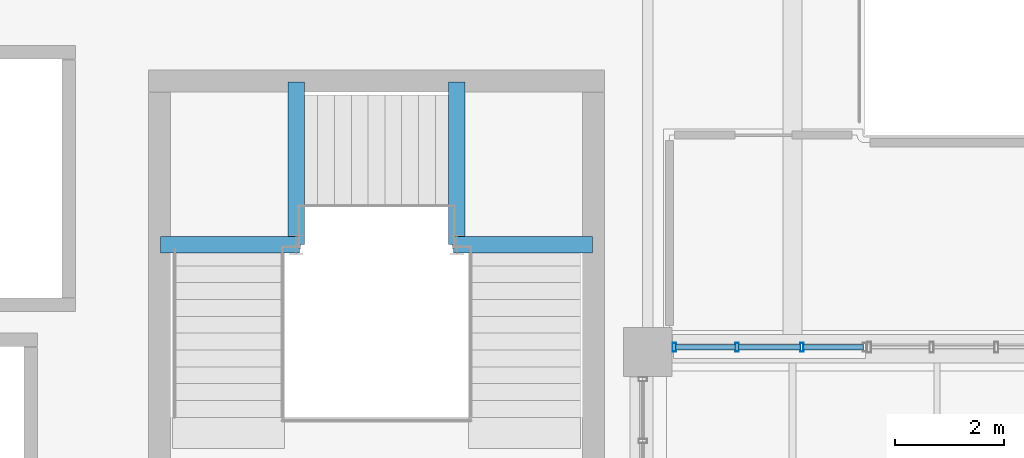
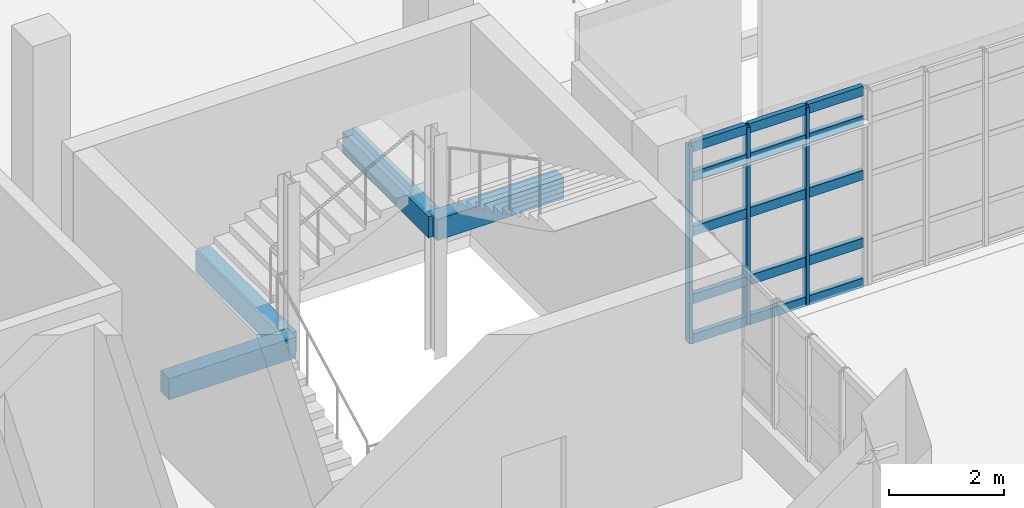
# One storey, part 14 of 102: 18 members, 4 beams, 1 element without a shape of its own.
"""IFC4 building model written with IfcOpenShell, lengths in metres."""

from ifc_helpers import new_model, si_unit, derived_unit, direction, frame, origin, origin_2d, place, context, subcontext, project, spatial, rectangle, hollow_rectangle, extrude, material, layer, layer_set, material_profile, profile_set, type_object, element, aggregate, save


model = new_model("IFC4")

# Units and contexts
model_context = context("Model", 3, precision=1e-05, world=origin(), true_north=direction((0.0, 1.0)))
body_context = subcontext(model_context, "Body", "Model", "MODEL_VIEW")
ifc_project = project(units=[si_unit("LENGTHUNIT", "METRE"), si_unit("AREAUNIT", "SQUARE_METRE"), si_unit("VOLUMEUNIT", "CUBIC_METRE"), si_unit("PLANEANGLEUNIT", "RADIAN"), si_unit("MASSUNIT", "GRAM", prefix="KILO"), derived_unit("THERMALTRANSMITTANCEUNIT", [(si_unit("POWERUNIT", "WATT"), 1), (si_unit("LENGTHUNIT", "METRE"), -2), (si_unit("THERMODYNAMICTEMPERATUREUNIT", "KELVIN"), -1)])], contexts=[model_context])

# Site, building, storey
site_placement = place(None, origin())
site = spatial("IfcSite", under=ifc_project, at=site_placement, CompositionType="ELEMENT")
building_placement = place(site_placement, origin())
building = spatial("IfcBuilding", under=site, at=building_placement, Name="Nallur Shell Playhouse", CompositionType="ELEMENT")
storey_placement = place(building_placement, frame((0.0, 0.0, 15.0)))
storey = spatial("IfcBuildingStorey", under=building, at=storey_placement, Name="L04", CompositionType="ELEMENT", Elevation=15.0)

# Beams
ifc_material_1 = material(Name="Concrete M35", Category="concrete")
ifc_material_profile_1 = material_profile(ifc_material_1, rectangle(XDim=0.300048828125, YDim=0.449951171875, at=origin_2d()), Name="RC 300x450")
ifc_profile_set_1 = profile_set([ifc_material_profile_1], Name="Concrete M35")
beam_type = type_object("IfcBeamType", Name="BM-SPN-300x450", PredefinedType="SPANDREL", material=ifc_profile_set_1)
beam_1_placement = place(storey_placement, frame((31.02001953125, 17.97998046875, 1.22509765625), z_axis=(1.0, 0.0, 0.0), x_axis=(0.0, 1.0, 0.0)))
element("IfcBeam", 1, at=beam_1_placement, inside=storey, type_object=beam_type, Name="Stair ST-01-L04 L1 south bearer beam", PredefinedType="SPANDREL", context=body_context, shape_type="SweptSolid", body=[
    extrude(rectangle(XDim=0.300048828125, YDim=0.449951171875, at=origin_2d()), origin(), (0.0, 0.0, 1.0), 2.56005859375),
])
beam_2_placement = place(storey_placement, frame((33.52001953125, 17.97998046875, 1.22509765625), z_axis=(0.0, 1.0, 0.0), x_axis=(-1.0, 0.0, 0.0)))
element("IfcBeam", 2, at=beam_2_placement, inside=storey, type_object=beam_type, Name="Stair ST-01-L04 L1 east bearer beam", PredefinedType="SPANDREL", context=body_context, shape_type="SweptSolid", body=[
    extrude(rectangle(XDim=0.300048828125, YDim=0.449951171875, at=origin_2d()), origin(), (0.0, 0.0, 1.0), 3.0),
])
beam_3_placement = place(storey_placement, frame((36.419921875, 17.97998046875, 2.72509765625), z_axis=(1.0, 0.0, 0.0), x_axis=(0.0, 1.0, 0.0)))
element("IfcBeam", 3, at=beam_3_placement, inside=storey, type_object=beam_type, Name="Stair ST-01-L04 L2 south bearer beam", PredefinedType="SPANDREL", context=body_context, shape_type="SweptSolid", body=[
    extrude(rectangle(XDim=0.300048828125, YDim=0.449951171875, at=origin_2d()), origin(), (0.0, 0.0, 1.0), 2.56005859375),
])
beam_4_placement = place(storey_placement, frame((36.47998046875, 17.97998046875, 2.72509765625), z_axis=(0.0, 1.0, 0.0), x_axis=(-1.0, 0.0, 0.0)))
element("IfcBeam", 4, at=beam_4_placement, inside=storey, type_object=beam_type, Name="Stair ST-01-L04 L2 west bearer beam", PredefinedType="SPANDREL", context=body_context, shape_type="SweptSolid", body=[
    extrude(rectangle(XDim=0.300048828125, YDim=0.449951171875, at=origin_2d()), origin(), (0.0, 0.0, 1.0), 3.0),
])

# Curtain wall, members
ifc_material_2 = material(Name="Anodised Aluminium Double-Glazed Facade System", Category="aluminium")
ifc_layer = layer(ifc_material_2, 0.16796875)
ifc_layer_set = layer_set([ifc_layer], Name="Anodised Aluminium Double-Glazed Facade System")
curtain_wall_type = type_object("IfcCurtainWallType", Name="CW-UNIT-08", PredefinedType="NOTDEFINED", material=ifc_layer_set)
curtain_wall_placement = place(storey_placement, origin())
curtain_wall = element("IfcCurtainWall", 5, at=curtain_wall_placement, inside=storey, type_object=curtain_wall_type, Name="Unitised curtain wall CW-136 (L04)", PredefinedType="NOTDEFINED")
ifc_material_3 = material(Name="Aluminium Alloy 6063-T6 Mullion", Category="aluminium")
ifc_material_profile_2 = material_profile(ifc_material_3, hollow_rectangle(XDim=0.06494140625, YDim=0.159912109375, WallThickness=0.00390625, at=origin_2d()), Name="ALU 65x160x4")
ifc_profile_set_2 = profile_set([ifc_material_profile_2], Name="Aluminium Alloy 6063-T6 Mullion")
member_type_1 = type_object("IfcMemberType", Name="MB-CW-MUL160", PredefinedType="MULLION", material=ifc_profile_set_2)
member_1_placement = place(storey_placement, frame((42.841064453125, 16.090087890625, -0.014892578125), z_axis=(0.0, 0.0, 1.0), x_axis=(-1.0, 0.0, 0.0)))
member_1 = element("IfcMember", 6, at=member_1_placement, type_object=member_type_1, Name="CW-08 mullion 2", PredefinedType="MULLION", context=body_context, shape_type="SweptSolid", body=[
    extrude(hollow_rectangle(XDim=0.06494140625, YDim=0.159912109375, WallThickness=0.00390625, at=origin_2d()), origin(), (0.0, 0.0, 1.0), 4.203857421875),
])
member_2_placement = place(storey_placement, frame((41.6494140625, 16.090087890625, -0.014892578125), z_axis=(0.0, 0.0, 1.0), x_axis=(-1.0, 0.0, 0.0)))
member_2 = element("IfcMember", 7, at=member_2_placement, type_object=member_type_1, Name="CW-08 mullion 3", PredefinedType="MULLION", context=body_context, shape_type="SweptSolid", body=[
    extrude(hollow_rectangle(XDim=0.06494140625, YDim=0.159912109375, WallThickness=0.00390625, at=origin_2d()), origin(), (0.0, 0.0, 1.0), 4.203857421875),
])
member_3_placement = place(storey_placement, frame((40.490478515625, 16.090087890625, -0.014892578125), z_axis=(0.0, 0.0, 1.0), x_axis=(-1.0, 0.0, 0.0)))
member_3 = element("IfcMember", 8, at=member_3_placement, type_object=member_type_1, Name="CW-08 mullion 4", PredefinedType="MULLION", context=body_context, shape_type="SweptSolid", body=[
    extrude(hollow_rectangle(XDim=0.06494140625, YDim=0.159912109375, WallThickness=0.00390625, at=origin_2d()), origin(), (0.0, 0.0, 1.0), 4.203857421875),
])
ifc_material_4 = material(Name="Aluminium Alloy 6063-T6 Transom", Category="aluminium")
ifc_material_profile_3 = material_profile(ifc_material_4, hollow_rectangle(XDim=0.10009765625, YDim=0.199951171875, WallThickness=0.008056640625, at=origin_2d()), Name="RHS 200x100x8")
ifc_profile_set_3 = profile_set([ifc_material_profile_3], Name="Aluminium Alloy 6063-T6 Transom")
member_type_2 = type_object("IfcMemberType", Name="MB-CW-TRN140", PredefinedType="USERDEFINED", material=ifc_profile_set_3)
member_4_placement = place(storey_placement, frame((43.9755859375, 16.090087890625, 0.050048828125), z_axis=(-1.0, 0.0, 0.0), x_axis=(0.0, -1.0, 0.0)))
member_4 = element("IfcMember", 9, at=member_4_placement, type_object=member_type_2, Name="CW-08 transom 1.1", ObjectType="TRANSOM", PredefinedType="USERDEFINED", context=body_context, shape_type="SweptSolid", body=[
    extrude(hollow_rectangle(XDim=0.10009765625, YDim=0.199951171875, WallThickness=0.008056640625, at=origin_2d()), origin(), (0.0, 0.0, 1.0), 1.110107421875),
])
member_5_placement = place(storey_placement, frame((43.9755859375, 16.090087890625, 0.89990234375), z_axis=(-1.0, 0.0, 0.0), x_axis=(0.0, -1.0, 0.0)))
member_5 = element("IfcMember", 10, at=member_5_placement, type_object=member_type_2, Name="CW-08 transom 1.2", ObjectType="TRANSOM", PredefinedType="USERDEFINED", context=body_context, shape_type="SweptSolid", body=[
    extrude(hollow_rectangle(XDim=0.10009765625, YDim=0.199951171875, WallThickness=0.008056640625, at=origin_2d()), origin(), (0.0, 0.0, 1.0), 1.110107421875),
])
member_6_placement = place(storey_placement, frame((43.9755859375, 16.090087890625, 2.343994140625), z_axis=(-1.0, 0.0, 0.0), x_axis=(0.0, -1.0, 0.0)))
member_6 = element("IfcMember", 11, at=member_6_placement, type_object=member_type_2, Name="CW-08 transom 1.3", ObjectType="TRANSOM", PredefinedType="USERDEFINED", context=body_context, shape_type="SweptSolid", body=[
    extrude(hollow_rectangle(XDim=0.10009765625, YDim=0.199951171875, WallThickness=0.008056640625, at=origin_2d()), origin(), (0.0, 0.0, 1.0), 1.110107421875),
])
member_7_placement = place(storey_placement, frame((43.9755859375, 16.090087890625, 3.5048828125), z_axis=(-1.0, 0.0, 0.0), x_axis=(0.0, -1.0, 0.0)))
member_7 = element("IfcMember", 12, at=member_7_placement, type_object=member_type_2, Name="CW-08 transom 1.4", ObjectType="TRANSOM", PredefinedType="USERDEFINED", context=body_context, shape_type="SweptSolid", body=[
    extrude(hollow_rectangle(XDim=0.10009765625, YDim=0.199951171875, WallThickness=0.008056640625, at=origin_2d()), origin(), (0.0, 0.0, 1.0), 1.110107421875),
])
member_8_placement = place(storey_placement, frame((43.9755859375, 16.090087890625, 4.135009765625), z_axis=(-1.0, 0.0, 0.0), x_axis=(0.0, -1.0, 0.0)))
member_8 = element("IfcMember", 13, at=member_8_placement, type_object=member_type_2, Name="CW-08 transom 1.5", ObjectType="TRANSOM", PredefinedType="USERDEFINED", context=body_context, shape_type="SweptSolid", body=[
    extrude(hollow_rectangle(XDim=0.10009765625, YDim=0.199951171875, WallThickness=0.008056640625, at=origin_2d()), origin(), (0.0, 0.0, 1.0), 1.110107421875),
])
member_9_placement = place(storey_placement, frame((42.81640625, 16.090087890625, 0.050048828125), z_axis=(-1.0, 0.0, 0.0), x_axis=(0.0, -1.0, 0.0)))
member_9 = element("IfcMember", 14, at=member_9_placement, type_object=member_type_2, Name="CW-08 transom 2.1", ObjectType="TRANSOM", PredefinedType="USERDEFINED", context=body_context, shape_type="SweptSolid", body=[
    extrude(hollow_rectangle(XDim=0.10009765625, YDim=0.199951171875, WallThickness=0.008056640625, at=origin_2d()), origin(), (0.0, 0.0, 1.0), 1.142333984375),
])
member_10_placement = place(storey_placement, frame((42.81640625, 16.090087890625, 0.89990234375), z_axis=(-1.0, 0.0, 0.0), x_axis=(0.0, -1.0, 0.0)))
member_10 = element("IfcMember", 15, at=member_10_placement, type_object=member_type_2, Name="CW-08 transom 2.2", ObjectType="TRANSOM", PredefinedType="USERDEFINED", context=body_context, shape_type="SweptSolid", body=[
    extrude(hollow_rectangle(XDim=0.10009765625, YDim=0.199951171875, WallThickness=0.008056640625, at=origin_2d()), origin(), (0.0, 0.0, 1.0), 1.142333984375),
])
member_11_placement = place(storey_placement, frame((42.81640625, 16.090087890625, 2.343994140625), z_axis=(-1.0, 0.0, 0.0), x_axis=(0.0, -1.0, 0.0)))
member_11 = element("IfcMember", 16, at=member_11_placement, type_object=member_type_2, Name="CW-08 transom 2.3", ObjectType="TRANSOM", PredefinedType="USERDEFINED", context=body_context, shape_type="SweptSolid", body=[
    extrude(hollow_rectangle(XDim=0.10009765625, YDim=0.199951171875, WallThickness=0.008056640625, at=origin_2d()), origin(), (0.0, 0.0, 1.0), 1.142333984375),
])
member_12_placement = place(storey_placement, frame((42.81640625, 16.090087890625, 3.5048828125), z_axis=(-1.0, 0.0, 0.0), x_axis=(0.0, -1.0, 0.0)))
member_12 = element("IfcMember", 17, at=member_12_placement, type_object=member_type_2, Name="CW-08 transom 2.4", ObjectType="TRANSOM", PredefinedType="USERDEFINED", context=body_context, shape_type="SweptSolid", body=[
    extrude(hollow_rectangle(XDim=0.10009765625, YDim=0.199951171875, WallThickness=0.008056640625, at=origin_2d()), origin(), (0.0, 0.0, 1.0), 1.142333984375),
])
member_13_placement = place(storey_placement, frame((42.81640625, 16.090087890625, 4.135009765625), z_axis=(-1.0, 0.0, 0.0), x_axis=(0.0, -1.0, 0.0)))
member_13 = element("IfcMember", 18, at=member_13_placement, type_object=member_type_2, Name="CW-08 transom 2.5", ObjectType="TRANSOM", PredefinedType="USERDEFINED", context=body_context, shape_type="SweptSolid", body=[
    extrude(hollow_rectangle(XDim=0.10009765625, YDim=0.199951171875, WallThickness=0.008056640625, at=origin_2d()), origin(), (0.0, 0.0, 1.0), 1.142333984375),
])
member_14_placement = place(storey_placement, frame((41.625, 16.090087890625, 0.050048828125), z_axis=(-1.0, 0.0, 0.0), x_axis=(0.0, -1.0, 0.0)))
member_14 = element("IfcMember", 19, at=member_14_placement, type_object=member_type_2, Name="CW-08 transom 3.1", ObjectType="TRANSOM", PredefinedType="USERDEFINED", context=body_context, shape_type="SweptSolid", body=[
    extrude(hollow_rectangle(XDim=0.10009765625, YDim=0.199951171875, WallThickness=0.008056640625, at=origin_2d()), origin(), (0.0, 0.0, 1.0), 1.110107421875),
])
member_15_placement = place(storey_placement, frame((41.625, 16.090087890625, 0.89990234375), z_axis=(-1.0, 0.0, 0.0), x_axis=(0.0, -1.0, 0.0)))
member_15 = element("IfcMember", 20, at=member_15_placement, type_object=member_type_2, Name="CW-08 transom 3.2", ObjectType="TRANSOM", PredefinedType="USERDEFINED", context=body_context, shape_type="SweptSolid", body=[
    extrude(hollow_rectangle(XDim=0.10009765625, YDim=0.199951171875, WallThickness=0.008056640625, at=origin_2d()), origin(), (0.0, 0.0, 1.0), 1.110107421875),
])
member_16_placement = place(storey_placement, frame((41.625, 16.090087890625, 2.343994140625), z_axis=(-1.0, 0.0, 0.0), x_axis=(0.0, -1.0, 0.0)))
member_16 = element("IfcMember", 21, at=member_16_placement, type_object=member_type_2, Name="CW-08 transom 3.3", ObjectType="TRANSOM", PredefinedType="USERDEFINED", context=body_context, shape_type="SweptSolid", body=[
    extrude(hollow_rectangle(XDim=0.10009765625, YDim=0.199951171875, WallThickness=0.008056640625, at=origin_2d()), origin(), (0.0, 0.0, 1.0), 1.110107421875),
])
member_17_placement = place(storey_placement, frame((41.625, 16.090087890625, 3.5048828125), z_axis=(-1.0, 0.0, 0.0), x_axis=(0.0, -1.0, 0.0)))
member_17 = element("IfcMember", 22, at=member_17_placement, type_object=member_type_2, Name="CW-08 transom 3.4", ObjectType="TRANSOM", PredefinedType="USERDEFINED", context=body_context, shape_type="SweptSolid", body=[
    extrude(hollow_rectangle(XDim=0.10009765625, YDim=0.199951171875, WallThickness=0.008056640625, at=origin_2d()), origin(), (0.0, 0.0, 1.0), 1.110107421875),
])
member_18_placement = place(storey_placement, frame((41.625, 16.090087890625, 4.135009765625), z_axis=(-1.0, 0.0, 0.0), x_axis=(0.0, -1.0, 0.0)))
member_18 = element("IfcMember", 23, at=member_18_placement, type_object=member_type_2, Name="CW-08 transom 3.5", ObjectType="TRANSOM", PredefinedType="USERDEFINED", context=body_context, shape_type="SweptSolid", body=[
    extrude(hollow_rectangle(XDim=0.10009765625, YDim=0.199951171875, WallThickness=0.008056640625, at=origin_2d()), origin(), (0.0, 0.0, 1.0), 1.110107421875),
])
aggregate(curtain_wall, [member_1, member_2, member_3, member_4, member_5, member_6, member_7, member_8, member_9, member_10, member_11, member_12, member_13, member_14, member_15, member_16, member_17, member_18])

save(model, "model.ifc")
